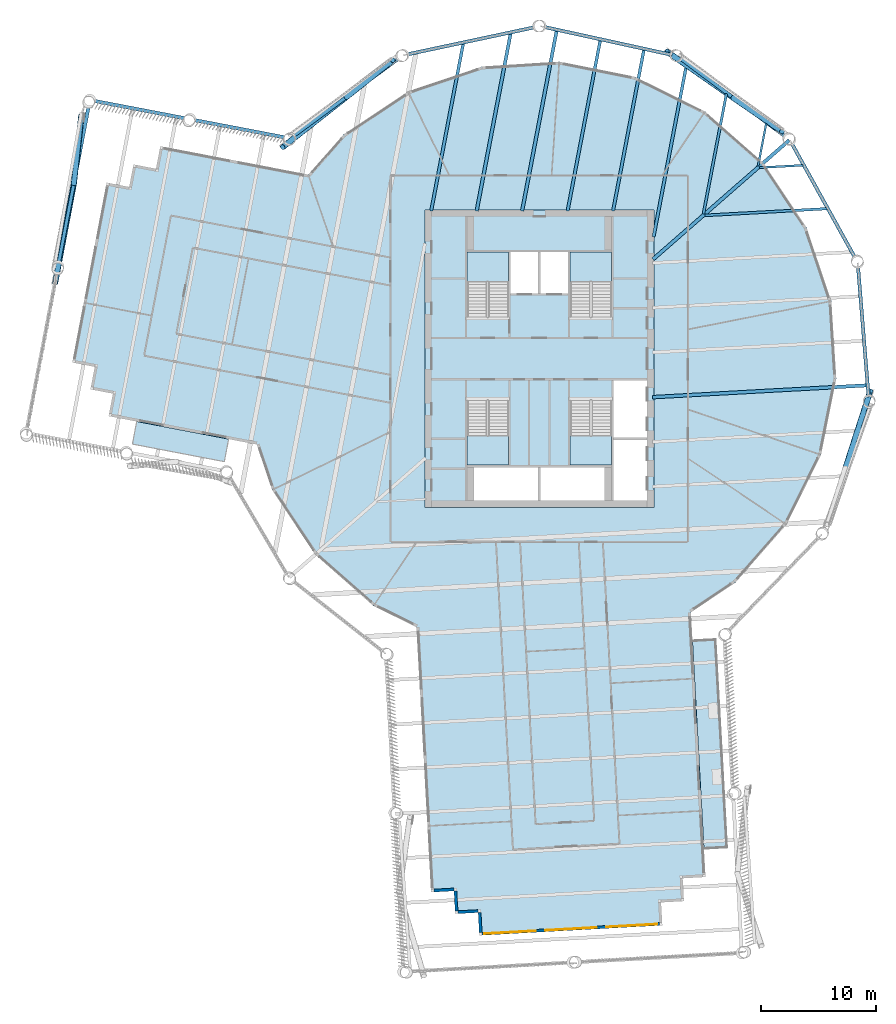
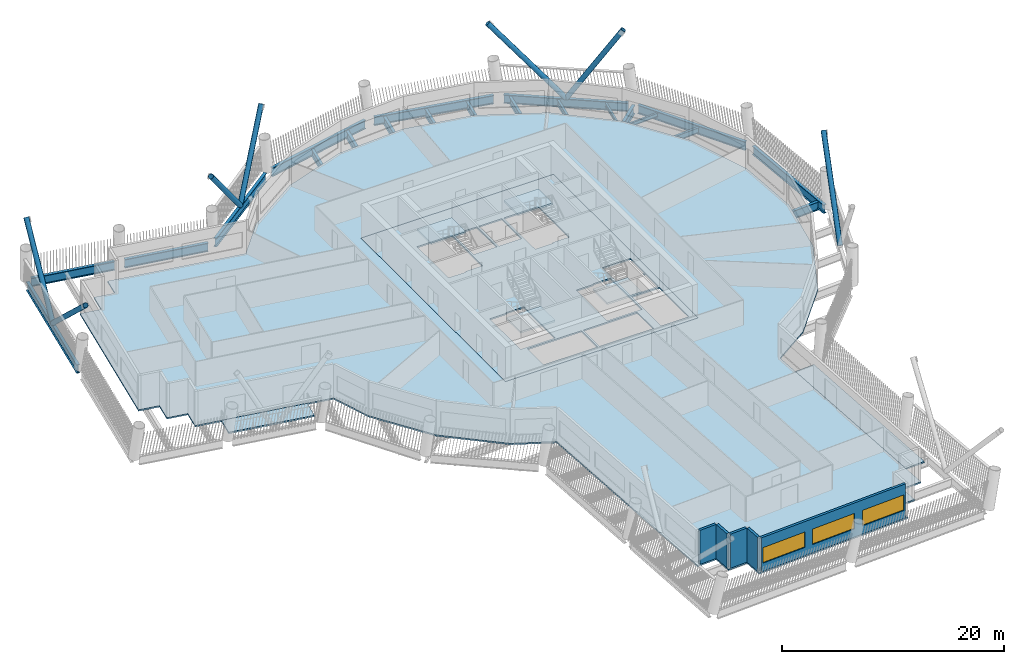
# One storey, part 2 of 23: 21 beams, 8 slabs, 7 members, 5 walls, 3 windows, 3 openings, 4 elements without a shape of their own.
"""IFC4 building model written with IfcOpenShell, lengths in metres."""

from ifc_helpers import new_model, si_unit, direction, frame, frame_2d, origin, origin_2d, place, context, subcontext, project, spatial, polyline, rectangle, hollow_circle, i_section, outline, extrude, material, layer, layer_set, material_profile, profile_set, type_object, element, fill, aggregate, save


model = new_model("IFC4")

# Units and contexts
model_context = context("Model", 3, precision=1e-05, world=origin(), true_north=direction((0.0, 1.0)))
body_context = subcontext(model_context, "Body", "Model", "MODEL_VIEW")
ifc_project = project(units=[si_unit("LENGTHUNIT", "METRE"), si_unit("AREAUNIT", "SQUARE_METRE"), si_unit("VOLUMEUNIT", "CUBIC_METRE"), si_unit("PLANEANGLEUNIT", "RADIAN"), si_unit("MASSUNIT", "GRAM", prefix="KILO")], contexts=[model_context])

# Site, building, storey
site_placement = place(None, origin())
site = spatial("IfcSite", under=ifc_project, at=site_placement, CompositionType="ELEMENT")
building_placement = place(site_placement, origin())
building = spatial("IfcBuilding", under=site, at=building_placement, Name="Tarsis Ring Headquarters", CompositionType="ELEMENT")
storey_placement = place(building_placement, frame((0.0, 0.0, 239.39990234375)))
storey = spatial("IfcBuildingStorey", under=building, at=storey_placement, Name="L56", CompositionType="ELEMENT", Elevation=239.39990234375)

# Beams
ifc_material_1 = material(Name="Structural steel S355", Category="steel")
ifc_material_profile_1 = material_profile(ifc_material_1, i_section(OverallWidth=0.177734375, OverallDepth=0.406494140625, WebThickness=0.0078125, FlangeThickness=0.0126953125, at=origin_2d()), Name="W16x40")
ifc_profile_set_1 = profile_set([ifc_material_profile_1], Name="Structural steel S355")
beam_type_1 = type_object("IfcBeamType", Name="FB Floor beam W16x40", PredefinedType="JOIST", material=ifc_profile_set_1)
for number, where, z_axis, x_axis, name in (
    (1, (19.228271484375, 16.685302734375, -0.363037109375), (0.998480031945, 0.055114660548, 0.0), (-0.055114660548, 0.998480031945, 0.0), "Floor beam FB1"),
    (2, (19.821044921875, 20.563232421875, -0.363037109375), (-0.188114408278, -0.982147122074, 0.0), (0.982147122074, -0.188114408278, 0.0), "Floor beam FB1"),
):
    element("IfcBeam", number, at=place(storey_placement, frame(where, z_axis=z_axis, x_axis=x_axis)), inside=storey, type_object=beam_type_1, Name=name, PredefinedType="JOIST", context=body_context, shape_type="SweptSolid", body=[
        extrude(i_section(OverallWidth=0.177734375, OverallDepth=0.406494140625, WebThickness=0.0078125, FlangeThickness=0.0126953125, at=origin_2d()), origin(), (0.0, 0.0, 1.0), 3.80517578125),
    ])
ifc_material_profile_2 = material_profile(ifc_material_1, i_section(OverallWidth=0.228271484375, OverallDepth=0.607177734375, WebThickness=0.01123046875, FlangeThickness=0.017333984375, at=origin_2d()), Name="W24x76")
ifc_profile_set_2 = profile_set([ifc_material_profile_2], Name="Structural steel S355")
beam_type_2 = type_object("IfcBeamType", Name="FB Floor beam W24x76", PredefinedType="JOIST", material=ifc_profile_set_2)
beam_1_placement = place(storey_placement, frame((14.458984375, 12.51611328125, -0.46337890625), z_axis=(0.998480115816, 0.05511314109, 0.0), x_axis=(-0.05511314109, 0.998480115816, 0.0)))
element("IfcBeam", 3, at=beam_1_placement, inside=storey, type_object=beam_type_2, Name="Floor beam FB4", PredefinedType="JOIST", context=body_context, shape_type="SweptSolid", body=[
    extrude(i_section(OverallWidth=0.228271484375, OverallDepth=0.607177734375, WebThickness=0.01123046875, FlangeThickness=0.017333984375, at=origin_2d()), origin(), (0.0, 0.0, 1.0), 10.684814453125),
])
beam_2_placement = place(storey_placement, frame((16.345458984375, 23.150634765625, -0.46337890625), z_axis=(-0.188054918782, -0.982158514458, 0.0), x_axis=(0.982158514458, -0.188054918782, 0.0)))
element("IfcBeam", 4, at=beam_2_placement, inside=storey, type_object=beam_type_2, Name="Floor beam FB4", PredefinedType="JOIST", context=body_context, shape_type="SweptSolid", body=[
    extrude(i_section(OverallWidth=0.228271484375, OverallDepth=0.607177734375, WebThickness=0.01123046875, FlangeThickness=0.017333984375, at=origin_2d()), origin(), (0.0, 0.0, 1.0), 10.6845703125),
])
ifc_material_profile_3 = material_profile(ifc_material_1, i_section(OverallWidth=0.2666015625, OverallDepth=0.7568359375, WebThickness=0.013916015625, FlangeThickness=0.019287109375, at=origin_2d()), Name="W30x108")
ifc_profile_set_3 = profile_set([ifc_material_profile_3], Name="Structural steel S355")
beam_type_3 = type_object("IfcBeamType", Name="FB Floor beam W30x108", PredefinedType="JOIST", material=ifc_profile_set_3)
beam_3_placement = place(storey_placement, frame((12.8701171875, 25.73828125, -0.538330078125), z_axis=(-0.188062158928, -0.982157128152, 0.0), x_axis=(0.982157128152, -0.188062158928, 0.0)))
element("IfcBeam", 5, at=beam_3_placement, inside=storey, type_object=beam_type_3, Name="Floor beam FB6", PredefinedType="JOIST", context=body_context, shape_type="SweptSolid", body=[
    extrude(i_section(OverallWidth=0.2666015625, OverallDepth=0.7568359375, WebThickness=0.013916015625, FlangeThickness=0.019287109375, at=origin_2d()), origin(), (0.0, 0.0, 1.0), 15.361572265625),
])
beam_4_placement = place(storey_placement, frame((9.14306640625, 27.011474609375, -0.538330078125), z_axis=(-0.188060063004, -0.982157529474, 0.0), x_axis=(0.982157529474, -0.188060063004, 0.0)))
element("IfcBeam", 6, at=beam_4_placement, inside=storey, type_object=beam_type_3, Name="Floor beam FB6", PredefinedType="JOIST", context=body_context, shape_type="SweptSolid", body=[
    extrude(i_section(OverallWidth=0.2666015625, OverallDepth=0.7568359375, WebThickness=0.013916015625, FlangeThickness=0.019287109375, at=origin_2d()), origin(), (0.0, 0.0, 1.0), 14.365966796875),
])
beam_5_placement = place(storey_placement, frame((5.331787109375, 27.84423828125, -0.538330078125), z_axis=(-0.188073588203, -0.98215493962, 0.0), x_axis=(0.98215493962, -0.188073588203, 0.0)))
element("IfcBeam", 7, at=beam_5_placement, inside=storey, type_object=beam_type_3, Name="Floor beam FB6", PredefinedType="JOIST", context=body_context, shape_type="SweptSolid", body=[
    extrude(i_section(OverallWidth=0.2666015625, OverallDepth=0.7568359375, WebThickness=0.013916015625, FlangeThickness=0.019287109375, at=origin_2d()), origin(), (0.0, 0.0, 1.0), 15.2138671875),
])
beam_6_placement = place(storey_placement, frame((-6.63623046875, 27.554931640625, -0.538330078125), z_axis=(-0.188072270788, -0.982155191892, 0.0), x_axis=(0.982155191892, -0.188072270788, 0.0)))
element("IfcBeam", 8, at=beam_6_placement, inside=storey, type_object=beam_type_3, Name="Floor beam FB6", PredefinedType="JOIST", context=body_context, shape_type="SweptSolid", body=[
    extrude(i_section(OverallWidth=0.2666015625, OverallDepth=0.7568359375, WebThickness=0.013916015625, FlangeThickness=0.019287109375, at=origin_2d()), origin(), (0.0, 0.0, 1.0), 14.919189453125),
])
ifc_material_profile_4 = material_profile(ifc_material_1, i_section(OverallWidth=0.2919921875, OverallDepth=0.835693359375, WebThickness=0.013916015625, FlangeThickness=0.018798828125, at=origin_2d()), Name="W33x118")
ifc_profile_set_4 = profile_set([ifc_material_profile_4], Name="Structural steel S355")
beam_type_4 = type_object("IfcBeamType", Name="FB Floor beam W33x118", PredefinedType="JOIST", material=ifc_profile_set_4)
beam_7_placement = place(storey_placement, frame((1.520263671875, 28.677001953125, -0.57763671875), z_axis=(-0.188071022918, -0.982155430845, 0.0), x_axis=(0.982155430845, -0.188071022918, 0.0)))
element("IfcBeam", 9, at=beam_7_placement, inside=storey, type_object=beam_type_4, Name="Floor beam FB7", PredefinedType="JOIST", context=body_context, shape_type="SweptSolid", body=[
    extrude(i_section(OverallWidth=0.2919921875, OverallDepth=0.835693359375, WebThickness=0.013916015625, FlangeThickness=0.018798828125, at=origin_2d()), origin(), (0.0, 0.0, 1.0), 16.061767578125),
])
beam_8_placement = place(storey_placement, frame((-2.49658203125, 28.43603515625, -0.57763671875), z_axis=(-0.188071003561, -0.982155434552, 0.0), x_axis=(0.982155434552, -0.188071003561, 0.0)))
element("IfcBeam", 10, at=beam_8_placement, inside=storey, type_object=beam_type_4, Name="Floor beam FB7", PredefinedType="JOIST", context=body_context, shape_type="SweptSolid", body=[
    extrude(i_section(OverallWidth=0.2919921875, OverallDepth=0.835693359375, WebThickness=0.013916015625, FlangeThickness=0.018798828125, at=origin_2d()), origin(), (0.0, 0.0, 1.0), 15.81640625),
])
ifc_material_profile_5 = material_profile(ifc_material_1, i_section(OverallWidth=0.3046875, OverallDepth=0.904296875, WebThickness=0.01513671875, FlangeThickness=0.02001953125, at=origin_2d()), Name="W36x135")
ifc_profile_set_5 = profile_set([ifc_material_profile_5], Name="Structural steel S355")
beam_type_5 = type_object("IfcBeamType", Name="FB Floor beam W36x135", PredefinedType="JOIST", material=ifc_profile_set_5)
beam_9_placement = place(storey_placement, frame((9.900146484375, -3.359375, -0.612060546875), z_axis=(0.998479403095, 0.055126051881, 0.0), x_axis=(-0.055126051881, 0.998479403095, 0.0)))
element("IfcBeam", 11, at=beam_9_placement, inside=storey, type_object=beam_type_5, Name="Floor beam FB8", PredefinedType="JOIST", context=body_context, shape_type="SweptSolid", body=[
    extrude(i_section(OverallWidth=0.3046875, OverallDepth=0.904296875, WebThickness=0.01513671875, FlangeThickness=0.02001953125, at=origin_2d()), origin(), (0.0, 0.0, 1.0), 18.75146484375),
])
ifc_material_profile_6 = material_profile(ifc_material_1, i_section(OverallWidth=0.309814453125, OverallDepth=0.949951171875, WebThickness=0.0244140625, FlangeThickness=0.0439453125, at=origin_2d()), Name="W36x256")
ifc_profile_set_6 = profile_set([ifc_material_profile_6], Name="Structural steel S355")
beam_type_6 = type_object("IfcBeamType", Name="FB Floor beam W36x256 spine", PredefinedType="BEAM", material=ifc_profile_set_6)
beam_10_placement = place(storey_placement, frame((21.825927734375, 19.080078125, -0.635009765625), z_axis=(-0.752879903894, -0.658157922016, 0.0), x_axis=(0.658157922016, -0.752879903894, 0.0)))
element("IfcBeam", 12, at=beam_10_placement, inside=storey, type_object=beam_type_6, Name="Floor beam SB11", PredefinedType="BEAM", context=body_context, shape_type="SweptSolid", body=[
    extrude(i_section(OverallWidth=0.309814453125, OverallDepth=0.949951171875, WebThickness=0.0244140625, FlangeThickness=0.0439453125, at=origin_2d()), origin(), (0.0, 0.0, 1.0), 15.807373046875),
])

# Members
ifc_material_profile_7 = material_profile(ifc_material_1, hollow_circle(Radius=0.25390625, WallThickness=0.02001953125, at=origin_2d()), Name="CHS 508x20")
ifc_profile_set_7 = profile_set([ifc_material_profile_7], Name="Structural steel S355")
member_type = type_object("IfcMemberType", Name="XD X brace CHS 508x20", PredefinedType="BRACE", material=ifc_profile_set_7)
for number, where, z_axis, x_axis, name in (
    (13, (26.734130859375, -9.5703125, 0.0), (0.206500749768, 0.640455627323, 0.739712126287), (-0.951751089746, 0.306871085585, 0.0), "X brace XD2"),
    (14, (16.95751953125, 22.776123046875, 0.0), (-0.552272606832, 0.38445841766, 0.739720685687), (-0.57133362359, -0.820717911682, 0.0), "X brace XD2"),
):
    element("IfcMember", number, at=place(storey_placement, frame(where, z_axis=z_axis, x_axis=x_axis)), inside=storey, type_object=member_type, Name=name, PredefinedType="BRACE", context=body_context, shape_type="SweptSolid", body=[
        extrude(hollow_circle(Radius=0.25390625, WallThickness=0.02001953125, at=origin_2d()), origin(), (0.0, 0.0, 1.0), 10.544677734375),
    ])
member_1_placement = place(storey_placement, frame((16.95751953125, 22.776123046875, 0.0), z_axis=(0.454143900573, -0.312416531487, 0.834355576734), x_axis=(0.56676605932, 0.823878773851, 0.0)))
element("IfcMember", 15, at=member_1_placement, inside=storey, type_object=member_type, Name="X brace XD2", PredefinedType="BRACE", context=body_context, shape_type="SweptSolid", body=[
    extrude(hollow_circle(Radius=0.25390625, WallThickness=0.02001953125, at=origin_2d()), origin(), (0.0, 0.0, 1.0), 9.3486328125),
])
member_2_placement = place(storey_placement, frame((-16.833984375, 22.867431640625, 0.0), z_axis=(-0.528932015035, -0.415991311627, 0.739717616474), x_axis=(0.618190735058, -0.786028126143, 0.0)))
element("IfcMember", 16, at=member_2_placement, inside=storey, type_object=member_type, Name="X brace XD2", PredefinedType="BRACE", context=body_context, shape_type="SweptSolid", body=[
    extrude(hollow_circle(Radius=0.25390625, WallThickness=0.02001953125, at=origin_2d()), origin(), (0.0, 0.0, 1.0), 10.544677734375),
])
member_3_placement = place(storey_placement, frame((-16.833984375, 22.867431640625, 0.0), z_axis=(0.431370720803, 0.343179721642, 0.834354229262), x_axis=(-0.62257236478, 0.782562234338, 0.0)))
element("IfcMember", 17, at=member_3_placement, inside=storey, type_object=member_type, Name="X brace XD2", PredefinedType="BRACE", context=body_context, shape_type="SweptSolid", body=[
    extrude(hollow_circle(Radius=0.25390625, WallThickness=0.02001953125, at=origin_2d()), origin(), (0.0, 0.0, 1.0), 9.3486328125),
])
member_4_placement = place(storey_placement, frame((-40.64453125, 15.317138671875, 0.0), z_axis=(-0.139118385017, -0.737712042547, 0.660626231111), x_axis=(0.982679260667, -0.185314518198, 0.0)))
element("IfcMember", 18, at=member_4_placement, inside=storey, type_object=member_type, Name="X brace XD2", PredefinedType="BRACE", context=body_context, shape_type="SweptSolid", body=[
    extrude(hollow_circle(Radius=0.25390625, WallThickness=0.02001953125, at=origin_2d()), origin(), (0.0, 0.0, 1.0), 11.80712890625),
])
member_5_placement = place(storey_placement, frame((-40.64453125, 15.317138671875, 0.0), z_axis=(0.065461812947, 0.602771378002, 0.795224129983), x_axis=(-0.994154525202, 0.107966568992, 0.0)))
element("IfcMember", 19, at=member_5_placement, inside=storey, type_object=member_type, Name="X brace XD2", PredefinedType="BRACE", context=body_context, shape_type="SweptSolid", body=[
    extrude(hollow_circle(Radius=0.25390625, WallThickness=0.02001953125, at=origin_2d()), origin(), (0.0, 0.0, 1.0), 9.80859375),
])

# Beams
beam_type_7 = type_object("IfcBeamType", Name="XG Ring girder W36x256", PredefinedType="BEAM", material=ifc_profile_set_6)
beam_11_placement = place(storey_placement, frame((28.759521484375, -3.32568359375, -0.474853515625), z_axis=(-0.081013882384, 0.996712973158, 0.0), x_axis=(-0.996712973158, -0.081013882384, 0.0)))
element("IfcBeam", 20, at=beam_11_placement, inside=storey, type_object=beam_type_7, Name="Ring girder XG2", PredefinedType="BEAM", context=body_context, shape_type="SweptSolid", body=[
    extrude(i_section(OverallWidth=0.309814453125, OverallDepth=0.949951171875, WebThickness=0.0244140625, FlangeThickness=0.0439453125, at=origin_2d()), origin(), (0.0, 0.0, 1.0), 11.288818359375),
])
beam_12_placement = place(storey_placement, frame((27.573486328125, 8.824462890625, -0.474853515625), z_axis=(-0.484643682786, 0.8747116672, 0.0), x_axis=(-0.8747116672, -0.484643682786, 0.0)))
element("IfcBeam", 21, at=beam_12_placement, inside=storey, type_object=beam_type_7, Name="Ring girder XG2", PredefinedType="BEAM", context=body_context, shape_type="SweptSolid", body=[
    extrude(i_section(OverallWidth=0.309814453125, OverallDepth=0.949951171875, WebThickness=0.0244140625, FlangeThickness=0.0439453125, at=origin_2d()), origin(), (0.0, 0.0, 1.0), 11.28857421875),
])
for number, where, z_axis, x_axis, name in (
    (22, (21.48486328125, 19.4052734375, -0.474853515625), (-0.802092041739, 0.597200432501, 0.0), (-0.597200432501, -0.802092041739, 0.0), "Ring girder XG2"),
    (23, (11.576171875, 26.5361328125, -0.474853515625), (-0.976947821834, 0.213478227023, 0.0), (-0.213478227023, -0.976947821834, 0.0), "Ring girder XG2"),
    (24, (-0.390869140625, 28.948486328125, -0.474853515625), (-0.978090753015, -0.208178958752, 0.0), (0.208178958752, -0.978090753015, 0.0), "Ring girder XG2"),
):
    element("IfcBeam", number, at=place(storey_placement, frame(where, z_axis=z_axis, x_axis=x_axis)), inside=storey, type_object=beam_type_7, Name=name, PredefinedType="BEAM", context=body_context, shape_type="SweptSolid", body=[
        extrude(i_section(OverallWidth=0.309814453125, OverallDepth=0.949951171875, WebThickness=0.0244140625, FlangeThickness=0.0439453125, at=origin_2d()), origin(), (0.0, 0.0, 1.0), 11.288818359375),
    ])
beam_13_placement = place(storey_placement, frame((-12.28857421875, 26.213623046875, -0.474853515625), z_axis=(-0.80531451192, -0.592847819335, 0.0), x_axis=(0.592847819335, -0.80531451192, 0.0)))
element("IfcBeam", 25, at=beam_13_placement, inside=storey, type_object=beam_type_7, Name="Ring girder XG2", PredefinedType="BEAM", context=body_context, shape_type="SweptSolid", body=[
    extrude(i_section(OverallWidth=0.309814453125, OverallDepth=0.949951171875, WebThickness=0.0244140625, FlangeThickness=0.0439453125, at=origin_2d()), origin(), (0.0, 0.0, 1.0), 11.28857421875),
])
for number, where, z_axis, x_axis, name in (
    (26, (-22.237548828125, 19.3271484375, -0.474853515625), (-0.98215676239, 0.188064069115, 0.0), (-0.188064069115, -0.98215676239, 0.0), "Ring girder XG2"),
    (27, (-30.98095703125, 21.001220703125, -0.474853515625), (-0.98215676239, 0.188064069115, 0.0), (-0.188064069115, -0.98215676239, 0.0), "Ring girder XG2"),
):
    element("IfcBeam", number, at=place(storey_placement, frame(where, z_axis=z_axis, x_axis=x_axis)), inside=storey, type_object=beam_type_7, Name=name, PredefinedType="BEAM", context=body_context, shape_type="SweptSolid", body=[
        extrude(i_section(OverallWidth=0.309814453125, OverallDepth=0.949951171875, WebThickness=0.0244140625, FlangeThickness=0.0439453125, at=origin_2d()), origin(), (0.0, 0.0, 1.0), 7.942138671875),
    ])
beam_14_placement = place(storey_placement, frame((-39.34326171875, 22.11376953125, -0.474853515625), z_axis=(-0.188062857503, -0.982156994389, 0.0), x_axis=(0.982156994389, -0.188062857503, 0.0)))
element("IfcBeam", 28, at=beam_14_placement, inside=storey, type_object=beam_type_7, Name="Ring girder XG2", PredefinedType="BEAM", context=body_context, shape_type="SweptSolid", body=[
    extrude(i_section(OverallWidth=0.309814453125, OverallDepth=0.949951171875, WebThickness=0.0244140625, FlangeThickness=0.0439453125, at=origin_2d()), origin(), (0.0, 0.0, 1.0), 13.83984375),
])

# Slabs
ifc_material_2 = material(Name="Concrete C40/50", Category="concrete")
ifc_layer_1 = layer(ifc_material_2, 0.159912109375)
ifc_layer_set_1 = layer_set([ifc_layer_1], Name="Balcony slab concrete C40/50")
slab_type_1 = type_object("IfcSlabType", Name="Balcony slab concrete C40/50", PredefinedType="FLOOR", material=ifc_layer_set_1)
slab_1_placement = place(storey_placement, frame((0.0, 0.0, -0.159912109375)))
element("IfcSlab", 29, at=slab_1_placement, inside=storey, type_object=slab_type_1, Name="Balcony slab L56-01", PredefinedType="FLOOR", context=body_context, shape_type="SweptSolid", body=[
    extrude(outline(polyline([(-35.158935546875, -5.485595703125), (-35.53515625, -7.449951171875), (-27.509033203125, -8.98681640625), (-27.1328125, -7.0224609375), (-35.158935546875, -5.485595703125)])), origin(), (0.0, 0.0, 1.0), 0.159912109375),
])
slab_2_placement = place(storey_placement, frame((0.0, 0.0, -0.159912109375)))
element("IfcSlab", 30, at=slab_2_placement, inside=storey, type_object=slab_type_1, Name="Balcony slab L56-16", PredefinedType="FLOOR", context=body_context, shape_type="SweptSolid", body=[
    extrude(outline(polyline([(14.379638671875, -42.7724609375), (16.376708984375, -42.662109375), (15.3759765625, -24.538330078125), (13.379150390625, -24.648681640625), (14.379638671875, -42.7724609375)])), origin(), (0.0, 0.0, 1.0), 0.159912109375),
])
ifc_layer_2 = layer(ifc_material_2, 0.159912109375)
ifc_layer_set_2 = layer_set([ifc_layer_2], Name="Core floor slab 160 C40/50")
slab_type_2 = type_object("IfcSlabType", Name="Core floor slab 160 C40/50", PredefinedType="FLOOR", material=ifc_layer_set_2)
slab_3_placement = place(storey_placement, frame((0.0, 0.0, -0.159912109375)))
element("IfcSlab", 31, at=slab_3_placement, inside=storey, type_object=slab_type_2, Name="L56 core floor slab", PredefinedType="FLOOR", context=body_context, shape_type="SweptSolid", body=[
    extrude(outline(polyline([(-10.0, -13.0), (10.0, -13.0), (10.0, 13.0), (-10.0, 13.0), (-10.0, -13.0)]), holes=[polyline([(-2.5, 5.699951171875), (-0.10009765625, 5.699951171875), (-0.10009765625, 9.300048828125), (-2.5, 9.300048828125), (-2.5, 5.699951171875)]), polyline([(0.10009765625, 5.699951171875), (2.5, 5.699951171875), (2.5, 9.300048828125), (0.10009765625, 9.300048828125), (0.10009765625, 5.699951171875)]), polyline([(6.5, -12.39990234375), (9.39990234375, -12.39990234375), (9.39990234375, -7.10009765625), (6.5, -7.10009765625), (6.5, -12.39990234375)]), polyline([(6.5, -6.89990234375), (9.39990234375, -6.89990234375), (9.39990234375, -1.89990234375), (6.5, -1.89990234375), (6.5, -6.89990234375)]), polyline([(-5.699951171875, -12.39990234375), (-0.10009765625, -12.39990234375), (-0.10009765625, -9.5), (-5.699951171875, -9.5), (-5.699951171875, -12.39990234375)]), polyline([(0.10009765625, -12.39990234375), (5.699951171875, -12.39990234375), (5.699951171875, -9.5), (0.10009765625, -9.5), (0.10009765625, -12.39990234375)]), polyline([(-2.699951171875, 3.760009765625), (-2.699951171875, 9.300048828125), (-6.300048828125, 9.300048828125), (-6.300048828125, 3.659912109375), (-4.4599609375, 3.659912109375), (-4.4599609375, 3.760009765625), (-2.699951171875, 3.760009765625)]), polyline([(6.300048828125, 3.760009765625), (6.300048828125, 9.300048828125), (2.699951171875, 9.300048828125), (2.699951171875, 3.659912109375), (4.5400390625, 3.659912109375), (4.5400390625, 3.760009765625), (6.300048828125, 3.760009765625)]), polyline([(-6.300048828125, -3.760009765625), (-6.300048828125, -9.300048828125), (-2.699951171875, -9.300048828125), (-2.699951171875, -3.659912109375), (-4.5400390625, -3.659912109375), (-4.5400390625, -3.760009765625), (-6.300048828125, -3.760009765625)]), polyline([(2.699951171875, -3.760009765625), (2.699951171875, -9.300048828125), (6.300048828125, -9.300048828125), (6.300048828125, -3.659912109375), (4.4599609375, -3.659912109375), (4.4599609375, -3.760009765625), (2.699951171875, -3.760009765625)])]), origin(), (0.0, 0.0, 1.0), 0.159912109375),
])

# Stair, slab
ifc_material_3 = material(Name="Core stair 1760")
stair_type = type_object("IfcStairType", Name="Core stair 1760", PredefinedType="HALF_TURN_STAIR", material=ifc_material_3)
stair_1_placement = place(storey_placement, origin())
stair_1 = element("IfcStair", 32, at=stair_1_placement, inside=storey, type_object=stair_type, Name="L56 Firefighting stair", PredefinedType="HALF_TURN_STAIR")
ifc_layer_3 = layer(ifc_material_2, 0.199951171875)
ifc_layer_set_3 = layer_set([ifc_layer_3], Name="Core stair landing 200")
slab_type_3 = type_object("IfcSlabType", Name="Core stair landing 200", PredefinedType="LANDING", material=ifc_layer_set_3)
slab_4_placement = place(storey_placement, frame((0.0, 0.0, 1.75)))
slab_4 = element("IfcSlab", 33, at=slab_4_placement, type_object=slab_type_3, Name="Stair ST1 landing 1", PredefinedType="LANDING", context=body_context, shape_type="SweptSolid", body=[
    extrude(outline(polyline([(-2.699951171875, 6.739990234375), (-2.699951171875, 9.300048828125), (-6.300048828125, 9.300048828125), (-6.300048828125, 6.739990234375), (-2.699951171875, 6.739990234375)])), origin(), (0.0, 0.0, 1.0), 0.2001953125),
])
aggregate(stair_1, [slab_4])

stair_2_placement = place(storey_placement, origin())
stair_2 = element("IfcStair", 34, at=stair_2_placement, inside=storey, type_object=stair_type, Name="L56 Exit stair B", PredefinedType="HALF_TURN_STAIR")
slab_5_placement = place(storey_placement, frame((0.0, 0.0, 1.75)))
slab_5 = element("IfcSlab", 35, at=slab_5_placement, type_object=slab_type_3, Name="Stair ST2 landing 1", PredefinedType="LANDING", context=body_context, shape_type="SweptSolid", body=[
    extrude(outline(polyline([(6.300048828125, 6.739990234375), (6.300048828125, 9.300048828125), (2.699951171875, 9.300048828125), (2.699951171875, 6.739990234375), (6.300048828125, 6.739990234375)])), origin(), (0.0, 0.0, 1.0), 0.2001953125),
])
aggregate(stair_2, [slab_5])

stair_3_placement = place(storey_placement, origin())
stair_3 = element("IfcStair", 36, at=stair_3_placement, inside=storey, type_object=stair_type, Name="L56 Exit stair C", PredefinedType="HALF_TURN_STAIR")
slab_6_placement = place(storey_placement, frame((0.0, 0.0, 1.75)))
slab_6 = element("IfcSlab", 37, at=slab_6_placement, type_object=slab_type_3, Name="Stair ST3 landing 1", PredefinedType="LANDING", context=body_context, shape_type="SweptSolid", body=[
    extrude(outline(polyline([(-6.300048828125, -6.739990234375), (-6.300048828125, -9.300048828125), (-2.699951171875, -9.300048828125), (-2.699951171875, -6.739990234375), (-6.300048828125, -6.739990234375)])), origin(), (0.0, 0.0, 1.0), 0.2001953125),
])
aggregate(stair_3, [slab_6])

stair_4_placement = place(storey_placement, origin())
stair_4 = element("IfcStair", 38, at=stair_4_placement, inside=storey, type_object=stair_type, Name="L56 Exit stair D", PredefinedType="HALF_TURN_STAIR")
slab_7_placement = place(storey_placement, frame((0.0, 0.0, 1.75)))
slab_7 = element("IfcSlab", 39, at=slab_7_placement, type_object=slab_type_3, Name="Stair ST4 landing 1", PredefinedType="LANDING", context=body_context, shape_type="SweptSolid", body=[
    extrude(outline(polyline([(2.699951171875, -6.739990234375), (2.699951171875, -9.300048828125), (6.300048828125, -9.300048828125), (6.300048828125, -6.739990234375), (2.699951171875, -6.739990234375)])), origin(), (0.0, 0.0, 1.0), 0.2001953125),
])
aggregate(stair_4, [slab_7])

# Slab
ifc_material_4 = material(Name="Concrete C35/45", Category="concrete")
ifc_layer_4 = layer(ifc_material_4, 0.159912109375)
ifc_layer_set_4 = layer_set([ifc_layer_4], Name="FS Composite floor slab 160")
slab_type_4 = type_object("IfcSlabType", Name="FS Composite floor slab 160", PredefinedType="FLOOR", material=ifc_layer_set_4)
slab_8_placement = place(storey_placement, frame((0.0, 0.0, -0.159912109375)))
element("IfcSlab", 40, at=slab_8_placement, inside=storey, type_object=slab_type_4, Name="Floor slab L56", PredefinedType="FLOOR", context=body_context, shape_type="SweptSolid", body=[
    extrude(outline(polyline([(-24.677490234375, -7.49267578125), (-23.336669921875, -11.462890625), (-19.57470703125, -17.1123046875), (-14.478759765625, -21.595458984375), (-10.723388671875, -23.454833984375), (-9.446044921875, -46.591552734375), (-7.448974609375, -46.481201171875), (-7.3388671875, -48.478271484375), (-5.341796875, -48.367919921875), (-5.231689453125, -50.364990234375), (10.744140625, -49.48291015625), (10.6337890625, -47.486083984375), (12.630859375, -47.375732421875), (12.5205078125, -45.37890625), (14.517578125, -45.2685546875), (13.2412109375, -22.15234375), (17.1123046875, -19.57470703125), (21.595458984375, -14.478759765625), (24.60693359375, -8.39599609375), (25.941650390625, -1.7412109375), (25.50830078125, 5.0322265625), (23.336669921875, 11.462890625), (19.57470703125, 17.1123046875), (14.478759765625, 21.595458984375), (8.39599609375, 24.60693359375), (1.7412109375, 25.941650390625), (-5.0322265625, 25.50830078125), (-11.462890625, 23.336669921875), (-17.1123046875, 19.57470703125), (-20.18408203125, 16.0830078125), (-33.100830078125, 18.556396484375), (-33.47705078125, 16.592041015625), (-35.441162109375, 16.968017578125), (-35.8173828125, 15.00390625), (-37.78173828125, 15.3798828125), (-40.790771484375, -0.33447265625), (-38.826416015625, -0.710693359375), (-39.20263671875, -2.675048828125), (-37.23828125, -3.05126953125), (-37.614501953125, -5.015380859375), (-24.677490234375, -7.49267578125)]), holes=[polyline([(-10.0, -13.0), (-10.0, 13.0), (10.0, 13.0), (10.0, -13.0), (-10.0, -13.0)])]), origin(), (0.0, 0.0, 1.0), 0.159912109375),
])

# Walls
ifc_material_5 = material(Name="Terracotta clad insulated panel wall", Category="masonry")
ifc_layer_5 = layer(ifc_material_5, 0.25)
ifc_layer_set_5 = layer_set([ifc_layer_5], Name="Facade wall terracotta panel 250")
wall_type = type_object("IfcWallType", Name="Facade wall terracotta panel 250", PredefinedType="STANDARD", material=ifc_layer_set_5)
for number, where, z_axis, x_axis, name in (
    (41, (-9.203369140625, -46.452880859375, 0.0), (0.0, 0.0, 1.0), (0.998480462604, 0.055106858003, 0.0), "External wall L56-07"),
    (42, (-7.32421875, -46.474365234375, 0.0), (0.0, 0.0, 1.0), (0.055106858003, -0.998480462604, 0.0), "External wall L56-08"),
):
    element("IfcWall", number, at=place(storey_placement, frame(where, z_axis=z_axis, x_axis=x_axis)), inside=storey, type_object=wall_type, Name=name, PredefinedType="STANDARD", context=body_context, shape_type="SweptSolid", body=[
        extrude(rectangle(XDim=1.75, YDim=0.25, at=frame_2d((0.875, 0.0))), origin(), (0.0, 0.0, 1.0), 3.739990234375),
    ])
wall_1_placement = place(storey_placement, frame((-7.09619140625, -48.339599609375, 0.0), z_axis=(0.0, 0.0, 1.0), x_axis=(0.998480886177, 0.055099182738, 0.0)))
element("IfcWall", 43, at=wall_1_placement, inside=storey, type_object=wall_type, Name="External wall L56-09", PredefinedType="STANDARD", context=body_context, shape_type="SweptSolid", body=[
    extrude(rectangle(XDim=1.750244140625, YDim=0.25, at=frame_2d((0.875, 0.0))), origin(), (0.0, 0.0, 1.0), 3.739990234375),
])
wall_2_placement = place(storey_placement, frame((-5.217041015625, -48.361083984375, 0.0), z_axis=(0.0, 0.0, 1.0), x_axis=(0.055106858003, -0.998480462604, 0.0)))
element("IfcWall", 44, at=wall_2_placement, inside=storey, type_object=wall_type, Name="External wall L56-10", PredefinedType="STANDARD", context=body_context, shape_type="SweptSolid", body=[
    extrude(rectangle(XDim=1.75, YDim=0.25, at=frame_2d((0.875, 0.0))), origin(), (0.0, 0.0, 1.0), 3.739990234375),
])

# Wall, openings, windows
wall_3_placement = place(storey_placement, frame((-4.98876953125, -50.226318359375, 0.0), z_axis=(0.0, 0.0, 1.0), x_axis=(0.99848011165, 0.055113216555, 0.0)))
wall_3 = element("IfcWall", 45, at=wall_3_placement, inside=storey, type_object=wall_type, Name="External wall L56-11", PredefinedType="STANDARD", context=body_context, shape_type="SweptSolid", body=[
    extrude(rectangle(XDim=15.499755859375, YDim=0.25, at=frame_2d((7.75, 0.0))), origin(), (0.0, 0.0, 1.0), 3.739990234375),
])
opening_1_placement = place(wall_3_placement, frame((0.166748046875, 0.0, 0.89990234375)))
opening_1 = element("IfcOpeningElement", 46, at=opening_1_placement, cuts=wall_3, Name="Opening WN04", PredefinedType="OPENING", context=body_context, shape_type="SweptSolid", body=[
    extrude(rectangle(XDim=4.5, YDim=1.699951171875, at=frame_2d((2.25, 0.85009765625))), frame((0.0, 0.135009765625, 0.0), z_axis=(0.0, -1.0, 0.0), x_axis=(1.0, 0.0, 0.0)), (0.0, 0.0, 1.0), 0.27001953125),
])
opening_2_placement = place(wall_3_placement, frame((5.5, 0.0, 0.89990234375)))
opening_2 = element("IfcOpeningElement", 47, at=opening_2_placement, cuts=wall_3, Name="Opening WN04", PredefinedType="OPENING", context=body_context, shape_type="SweptSolid", body=[
    extrude(rectangle(XDim=4.5, YDim=1.699951171875, at=frame_2d((2.25, 0.85009765625))), frame((0.0, 0.135009765625, 0.0), z_axis=(0.0, -1.0, 0.0), x_axis=(1.0, 0.0, 0.0)), (0.0, 0.0, 1.0), 0.27001953125),
])
opening_3_placement = place(wall_3_placement, frame((10.833251953125, 0.0, 0.89990234375)))
opening_3 = element("IfcOpeningElement", 48, at=opening_3_placement, cuts=wall_3, Name="Opening WN04", PredefinedType="OPENING", context=body_context, shape_type="SweptSolid", body=[
    extrude(rectangle(XDim=4.5, YDim=1.699951171875, at=frame_2d((2.25, 0.85009765625))), frame((0.0, 0.135009765625, 0.0), z_axis=(0.0, -1.0, 0.0), x_axis=(1.0, 0.0, 0.0)), (0.0, 0.0, 1.0), 0.27001953125),
])
ifc_material_6 = material(Name="Aluminium framed double glazing", Category="aluminium")
window_type = type_object("IfcWindowType", Name="Facade window 4500 x 1700", PartitioningType="SINGLE_PANEL", PredefinedType="WINDOW", material=ifc_material_6)
window_1_placement = place(opening_1_placement, origin())
window_1 = element("IfcWindow", 49, at=window_1_placement, inside=storey, type_object=window_type, Name="Window L56-11.1", OverallHeight=1.699951171875, OverallWidth=4.5, PartitioningType="SINGLE_PANEL", PredefinedType="WINDOW", context=body_context, shape_type="SweptSolid", body=[
    extrude(rectangle(XDim=4.5, YDim=1.699951171875, at=frame_2d((2.25, 0.85009765625))), frame((0.0, 0.030029296875, 0.0), z_axis=(0.0, -1.0, 0.0), x_axis=(1.0, 0.0, 0.0)), (0.0, 0.0, 1.0), 0.06005859375),
])
fill(opening_1, window_1)
window_2_placement = place(opening_2_placement, origin())
window_2 = element("IfcWindow", 50, at=window_2_placement, inside=storey, type_object=window_type, Name="Window L56-11.2", OverallHeight=1.699951171875, OverallWidth=4.5, PartitioningType="SINGLE_PANEL", PredefinedType="WINDOW", context=body_context, shape_type="SweptSolid", body=[
    extrude(rectangle(XDim=4.5, YDim=1.699951171875, at=frame_2d((2.25, 0.85009765625))), frame((0.0, 0.030029296875, 0.0), z_axis=(0.0, -1.0, 0.0), x_axis=(1.0, 0.0, 0.0)), (0.0, 0.0, 1.0), 0.06005859375),
])
fill(opening_2, window_2)
window_3_placement = place(opening_3_placement, origin())
window_3 = element("IfcWindow", 51, at=window_3_placement, inside=storey, type_object=window_type, Name="Window L56-11.3", OverallHeight=1.699951171875, OverallWidth=4.5, PartitioningType="SINGLE_PANEL", PredefinedType="WINDOW", context=body_context, shape_type="SweptSolid", body=[
    extrude(rectangle(XDim=4.5, YDim=1.699951171875, at=frame_2d((2.25, 0.85009765625))), frame((0.0, 0.030029296875, 0.0), z_axis=(0.0, -1.0, 0.0), x_axis=(1.0, 0.0, 0.0)), (0.0, 0.0, 1.0), 0.06005859375),
])
fill(opening_3, window_3)

save(model, "model.ifc")
